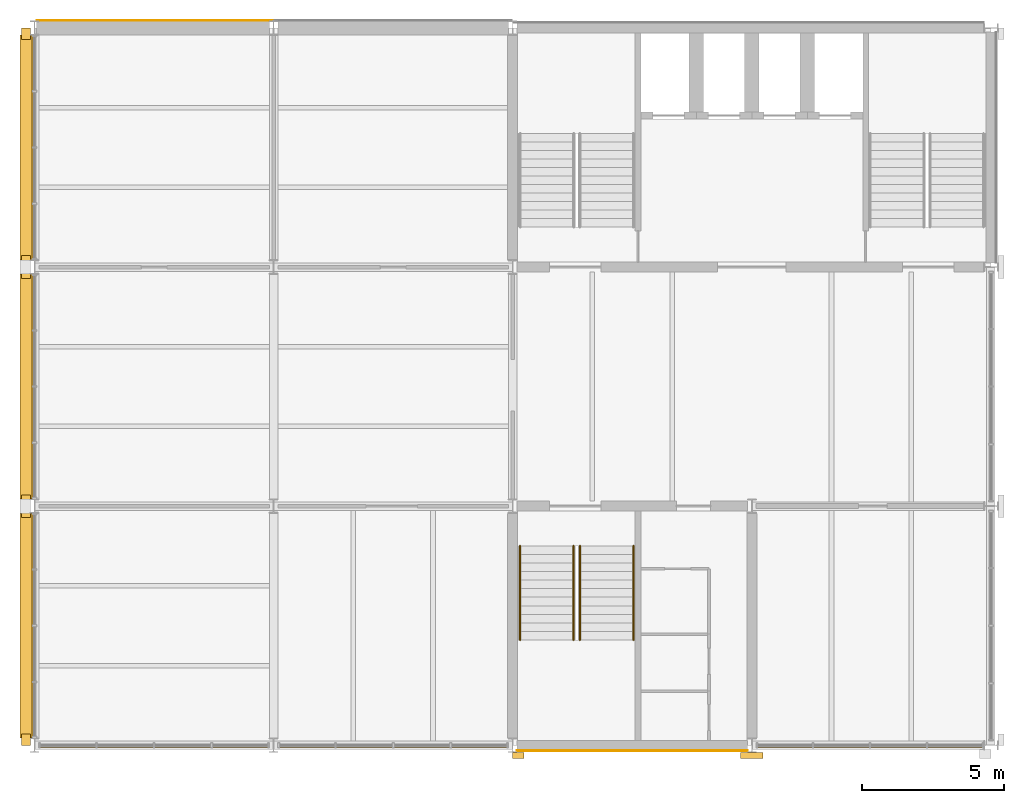
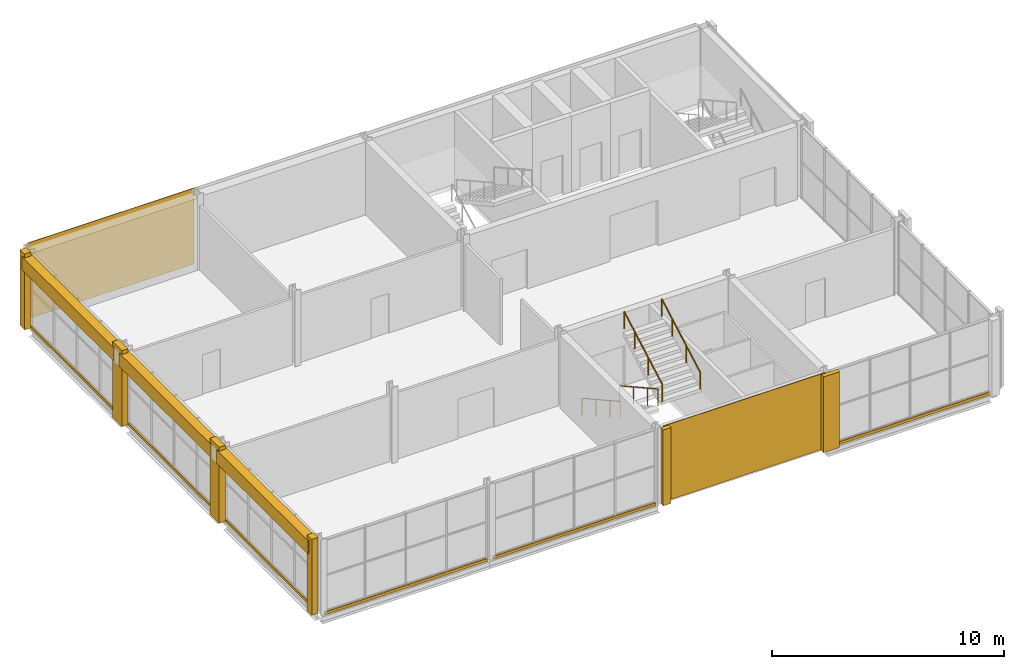
# One storey, part 10 of 12: 17 coverings, 4 railings.
"""IFC4 building model written with IfcOpenShell, lengths in metres."""

from ifc_helpers import new_model, si_unit, direction, frame, origin, origin_2d, place, context, subcontext, project, spatial, rectangle, circle, extrude, material, layer, layer_set, type_object, element, save


model = new_model("IFC4")

# Units and contexts
model_context = context("Model", 3, precision=1e-05, world=origin(), true_north=direction((0.0, 1.0)))
body_context = subcontext(model_context, "Body", "Model", "MODEL_VIEW")
ifc_project = project(units=[si_unit("LENGTHUNIT", "METRE"), si_unit("AREAUNIT", "SQUARE_METRE"), si_unit("VOLUMEUNIT", "CUBIC_METRE"), si_unit("PLANEANGLEUNIT", "RADIAN"), si_unit("MASSUNIT", "GRAM", prefix="KILO")], contexts=[model_context])

# Site, building, storey
site_placement = place(None, origin())
site = spatial("IfcSite", under=ifc_project, at=site_placement, CompositionType="ELEMENT")
building_placement = place(site_placement, origin())
building = spatial("IfcBuilding", under=site, at=building_placement, Name="Galleria Vessillo Department Store", CompositionType="ELEMENT")
storey_placement = place(building_placement, frame((0.0, 0.0, 43.60009765625)))
storey = spatial("IfcBuildingStorey", under=building, at=storey_placement, Name="L09", CompositionType="ELEMENT", Elevation=43.60009765625)

# Coverings
ifc_material_1 = material(Name="Lime plaster (intonaco) ochre")
ifc_layer_1 = layer(ifc_material_1, 0.030029296875)
ifc_layer_set_1 = layer_set([ifc_layer_1], Name="Lime plaster (intonaco) ochre")
covering_type_1 = type_object("IfcCoveringType", Name="Lime plaster render 30 mm", PredefinedType="CLADDING", material=ifc_layer_set_1)
covering_1_placement = place(storey_placement, frame((88.222412109375, 63.264892578125, 0.0), z_axis=(0.0, 0.0, 1.0), x_axis=(1.0, 0.0, 0.0)))
element("IfcCovering", 1, at=covering_1_placement, inside=storey, type_object=covering_type_1, Name="Wall cladding S-TN-L09-01", PredefinedType="CLADDING", context=body_context, shape_type="SweptSolid", body=[
    extrude(rectangle(XDim=8.295166015625, YDim=0.030029296875, at=origin_2d()), origin(), (0.0, 0.0, 1.0), 4.0),
])
ifc_material_2 = material(Name="Botticino limestone ashlar", Category="masonry")
ifc_layer_2 = layer(ifc_material_2, 0.449951171875)
ifc_layer_set_2 = layer_set([ifc_layer_2], Name="Botticino limestone ashlar")
covering_type_2 = type_object("IfcCoveringType", Name="Limestone cornice 450 x 700", PredefinedType="MOLDING", material=ifc_layer_set_2)
covering_2_placement = place(storey_placement, frame((83.715087890625, 42.0, 3.10009765625), z_axis=(0.0, 0.0, 1.0), x_axis=(1.0, 0.0, 0.0)))
element("IfcCovering", 2, at=covering_2_placement, inside=storey, type_object=covering_type_2, Name="Cornice TW-L09-01", PredefinedType="MOLDING", context=body_context, shape_type="SweptSolid", body=[
    extrude(rectangle(XDim=0.449951171875, YDim=7.89990234375, at=origin_2d()), origin(), (0.0, 0.0, 1.0), 0.699951171875),
])
covering_3_placement = place(storey_placement, frame((83.715087890625, 50.39990234375, 3.10009765625), z_axis=(0.0, 0.0, 1.0), x_axis=(1.0, 0.0, 0.0)))
element("IfcCovering", 3, at=covering_3_placement, inside=storey, type_object=covering_type_2, Name="Cornice TW-L09-02", PredefinedType="MOLDING", context=body_context, shape_type="SweptSolid", body=[
    extrude(rectangle(XDim=0.449951171875, YDim=7.900146484375, at=origin_2d()), origin(), (0.0, 0.0, 1.0), 0.699951171875),
])
covering_4_placement = place(storey_placement, frame((83.715087890625, 58.800048828125, 3.10009765625), z_axis=(0.0, 0.0, 1.0), x_axis=(1.0, 0.0, 0.0)))
element("IfcCovering", 4, at=covering_4_placement, inside=storey, type_object=covering_type_2, Name="Cornice TW-L09-03", PredefinedType="MOLDING", context=body_context, shape_type="SweptSolid", body=[
    extrude(rectangle(XDim=0.449951171875, YDim=7.89990234375, at=origin_2d()), origin(), (0.0, 0.0, 1.0), 0.699951171875),
])
ifc_material_3 = material(Name="Botticino limestone ashlar", Category="masonry")
ifc_layer_3 = layer(ifc_material_3, 0.14990234375)
ifc_layer_set_3 = layer_set([ifc_layer_3], Name="Botticino limestone ashlar")
covering_type_3 = type_object("IfcCoveringType", Name="Limestone slab-edge fascia 150 mm", PredefinedType="CLADDING", material=ifc_layer_set_3)
covering_5_placement = place(storey_placement, frame((83.9599609375, 42.0, -0.14990234375), z_axis=(0.0, 0.0, 1.0), x_axis=(1.0, 0.0, 0.0)))
element("IfcCovering", 5, at=covering_5_placement, inside=storey, type_object=covering_type_3, Name="Slab-edge fascia TW-L08-01", PredefinedType="CLADDING", context=body_context, shape_type="SweptSolid", body=[
    extrude(rectangle(XDim=0.080078125, YDim=7.89990234375, at=origin_2d()), origin(), (0.0, 0.0, 1.0), 0.14990234375),
])
covering_6_placement = place(storey_placement, frame((83.9599609375, 50.39990234375, -0.14990234375), z_axis=(0.0, 0.0, 1.0), x_axis=(1.0, 0.0, 0.0)))
element("IfcCovering", 6, at=covering_6_placement, inside=storey, type_object=covering_type_3, Name="Slab-edge fascia TW-L08-02", PredefinedType="CLADDING", context=body_context, shape_type="SweptSolid", body=[
    extrude(rectangle(XDim=0.080078125, YDim=7.900146484375, at=origin_2d()), origin(), (0.0, 0.0, 1.0), 0.14990234375),
])
covering_7_placement = place(storey_placement, frame((83.9599609375, 58.800048828125, -0.14990234375), z_axis=(0.0, 0.0, 1.0), x_axis=(1.0, 0.0, 0.0)))
element("IfcCovering", 7, at=covering_7_placement, inside=storey, type_object=covering_type_3, Name="Slab-edge fascia TW-L08-03", PredefinedType="CLADDING", context=body_context, shape_type="SweptSolid", body=[
    extrude(rectangle(XDim=0.080078125, YDim=7.89990234375, at=origin_2d()), origin(), (0.0, 0.0, 1.0), 0.14990234375),
])
covering_8_placement = place(storey_placement, frame((88.199951171875, 37.760009765625, -0.14990234375), z_axis=(0.0, 0.0, 1.0), x_axis=(1.0, 0.0, 0.0)))
element("IfcCovering", 8, at=covering_8_placement, inside=storey, type_object=covering_type_3, Name="Slab-edge fascia TS-L08-01", PredefinedType="CLADDING", context=body_context, shape_type="SweptSolid", body=[
    extrude(rectangle(XDim=8.099853515625, YDim=0.080078125, at=origin_2d()), origin(), (0.0, 0.0, 1.0), 0.14990234375),
])
covering_9_placement = place(storey_placement, frame((96.60009765625, 37.760009765625, -0.14990234375), z_axis=(0.0, 0.0, 1.0), x_axis=(1.0, 0.0, 0.0)))
element("IfcCovering", 9, at=covering_9_placement, inside=storey, type_object=covering_type_3, Name="Slab-edge fascia TS-L08-02", PredefinedType="CLADDING", context=body_context, shape_type="SweptSolid", body=[
    extrude(rectangle(XDim=8.10009765625, YDim=0.080078125, at=origin_2d()), origin(), (0.0, 0.0, 1.0), 0.14990234375),
])
covering_10_placement = place(storey_placement, frame((113.35009765625, 37.760009765625, -0.14990234375), z_axis=(0.0, 0.0, 1.0), x_axis=(1.0, 0.0, 0.0)))
element("IfcCovering", 10, at=covering_10_placement, inside=storey, type_object=covering_type_3, Name="Slab-edge fascia TS-L08-03", PredefinedType="CLADDING", context=body_context, shape_type="SweptSolid", body=[
    extrude(rectangle(XDim=8.000244140625, YDim=0.080078125, at=origin_2d()), origin(), (0.0, 0.0, 1.0), 0.14990234375),
])
ifc_material_4 = material(Name="Botticino limestone ashlar", Category="masonry")
ifc_layer_4 = layer(ifc_material_4, 0.31005859375)
ifc_layer_set_4 = layer_set([ifc_layer_4], Name="Botticino limestone ashlar")
covering_type_4 = type_object("IfcCoveringType", Name="Limestone tower pilaster strip", PredefinedType="CLADDING", material=ifc_layer_set_4)
covering_11_placement = place(storey_placement, frame((83.695068359375, 38.0, 0.0), z_axis=(0.0, 0.0, 1.0), x_axis=(1.0, 0.0, 0.0)))
element("IfcCovering", 11, at=covering_11_placement, inside=storey, type_object=covering_type_4, Name="Tower pilaster strip W L09 37.8", PredefinedType="CLADDING", context=body_context, shape_type="SweptSolid", body=[
    extrude(rectangle(XDim=0.31005859375, YDim=0.39990234375, at=origin_2d()), origin(), (0.0, 0.0, 1.0), 4.0),
])
for number, where, z_axis, x_axis, name in (
    (12, (83.695068359375, 46.199951171875, 0.0), (0.0, 0.0, 1.0), (1.0, 0.0, 0.0), "Tower pilaster strip W L09 46.2"),
    (13, (83.695068359375, 54.60009765625, 0.0), (0.0, 0.0, 1.0), (1.0, 0.0, 0.0), "Tower pilaster strip W L09 54.6"),
):
    element("IfcCovering", number, at=place(storey_placement, frame(where, z_axis=z_axis, x_axis=x_axis)), inside=storey, type_object=covering_type_4, Name=name, PredefinedType="CLADDING", context=body_context, shape_type="SweptSolid", body=[
        extrude(rectangle(XDim=0.31005859375, YDim=0.800048828125, at=origin_2d()), origin(), (0.0, 0.0, 1.0), 4.0),
    ])
covering_12_placement = place(storey_placement, frame((83.695068359375, 62.800048828125, 0.0), z_axis=(0.0, 0.0, 1.0), x_axis=(1.0, 0.0, 0.0)))
element("IfcCovering", 14, at=covering_12_placement, inside=storey, type_object=covering_type_4, Name="Tower pilaster strip W L09 63.0", PredefinedType="CLADDING", context=body_context, shape_type="SweptSolid", body=[
    extrude(rectangle(XDim=0.31005859375, YDim=0.39990234375, at=origin_2d()), origin(), (0.0, 0.0, 1.0), 4.0),
])
covering_13_placement = place(storey_placement, frame((101.0, 37.445068359375, 0.0), z_axis=(0.0, 0.0, 1.0), x_axis=(1.0, 0.0, 0.0)))
element("IfcCovering", 15, at=covering_13_placement, inside=storey, type_object=covering_type_4, Name="Tower pilaster strip S L09 100.8", PredefinedType="CLADDING", context=body_context, shape_type="SweptSolid", body=[
    extrude(rectangle(XDim=0.39990234375, YDim=0.2099609375, at=origin_2d()), origin(), (0.0, 0.0, 1.0), 4.0),
])
covering_14_placement = place(storey_placement, frame((109.199951171875, 37.445068359375, 0.0), z_axis=(0.0, 0.0, 1.0), x_axis=(1.0, 0.0, 0.0)))
element("IfcCovering", 16, at=covering_14_placement, inside=storey, type_object=covering_type_4, Name="Tower pilaster strip S L09 109.2", PredefinedType="CLADDING", context=body_context, shape_type="SweptSolid", body=[
    extrude(rectangle(XDim=0.800048828125, YDim=0.2099609375, at=origin_2d()), origin(), (0.0, 0.0, 1.0), 4.0),
])
ifc_material_5 = material(Name="Botticino limestone ashlar", Category="masonry")
ifc_layer_5 = layer(ifc_material_5, 0.030029296875)
ifc_layer_set_5 = layer_set([ifc_layer_5], Name="Botticino limestone ashlar")
covering_type_5 = type_object("IfcCoveringType", Name="Limestone wall cladding 30 mm", PredefinedType="CLADDING", material=ifc_layer_set_5)
covering_15_placement = place(storey_placement, frame((105.0, 37.610107421875, 0.0), z_axis=(0.0, 0.0, 1.0), x_axis=(1.0, 0.0, 0.0)))
element("IfcCovering", 17, at=covering_15_placement, inside=storey, type_object=covering_type_5, Name="Wall cladding S-CW-TS-PARTY-L09", PredefinedType="CLADDING", context=body_context, shape_type="SweptSolid", body=[
    extrude(rectangle(XDim=8.099853515625, YDim=0.030029296875, at=origin_2d()), origin(), (0.0, 0.0, 1.0), 4.0),
])

# Railings
ifc_material_6 = material(Name="Stainless steel tube", Category="steel")
railing_type = type_object("IfcRailingType", Name="Stair handrail steel tube 48 mm", PredefinedType="HANDRAIL", material=ifc_material_6)
for number, where, name in (
    (18, (102.93994140625, 44.800048828125, 0.166748046875), "Handrail ST12 L09 flight 1A"),
    (19, (101.06005859375, 44.800048828125, 0.166748046875), "Handrail ST12 L09 flight 1B"),
):
    element("IfcRailing", number, at=place(storey_placement, frame(where)), inside=storey, type_object=railing_type, Name=name, PredefinedType="HANDRAIL", context=body_context, shape_type="SweptSolid", body=[
        extrude(circle(Radius=0.02392578125, at=origin_2d()), frame((0.0, 0.0, 0.89599609375), z_axis=(0.0, -0.874199221805, 0.485567421267), x_axis=(1.0, 0.0, 0.0)), (0.0, 0.0, 1.0), 1.37255859375),
        extrude(circle(Radius=0.02392578125, at=origin_2d()), frame((0.0, -1.199951171875, 1.5625), z_axis=(0.0, -0.874123717778, 0.485703331282), x_axis=(1.0, 0.0, 0.0)), (0.0, 0.0, 1.0), 1.372802734375),
        extrude(circle(Radius=0.02392578125, at=origin_2d()), frame((0.0, -2.39990234375, 2.22900390625), z_axis=(0.0, -0.874190826042, 0.485582536407), x_axis=(1.0, 0.0, 0.0)), (0.0, 0.0, 1.0), 1.02978515625),
        extrude(circle(Radius=0.02099609375, at=origin_2d()), origin(), (0.0, 0.0, 1.0), 0.871826171875),
        extrude(circle(Radius=0.02099609375, at=origin_2d()), frame((0.0, -1.199951171875, 0.66650390625)), (0.0, 0.0, 1.0), 0.871826171875),
        extrude(circle(Radius=0.02099609375, at=origin_2d()), frame((0.0, -2.39990234375, 1.333251953125)), (0.0, 0.0, 1.0), 0.871826171875),
        extrude(circle(Radius=0.02099609375, at=origin_2d()), frame((0.0, -3.300048828125, 1.833251953125)), (0.0, 0.0, 1.0), 0.871826171875),
    ])
for number, where, name in (
    (20, (103.16015625, 41.5, 2.166748046875), "Handrail ST12 L09 flight 2A"),
    (21, (105.0400390625, 41.5, 2.166748046875), "Handrail ST12 L09 flight 2B"),
):
    element("IfcRailing", number, at=place(storey_placement, frame(where)), inside=storey, type_object=railing_type, Name=name, PredefinedType="HANDRAIL", context=body_context, shape_type="SweptSolid", body=[
        extrude(circle(Radius=0.02392578125, at=origin_2d()), frame((0.0, 0.0, 0.89599609375), z_axis=(0.0, 0.874199221805, 0.485567421267), x_axis=(-1.0, 0.0, 0.0)), (0.0, 0.0, 1.0), 1.37255859375),
        extrude(circle(Radius=0.02392578125, at=origin_2d()), frame((0.0, 1.199951171875, 1.5625), z_axis=(0.0, 0.874123717778, 0.485703331282), x_axis=(-1.0, 0.0, 0.0)), (0.0, 0.0, 1.0), 1.372802734375),
        extrude(circle(Radius=0.02392578125, at=origin_2d()), frame((0.0, 2.39990234375, 2.22900390625), z_axis=(0.0, 0.874190826042, 0.485582536407), x_axis=(-1.0, 0.0, 0.0)), (0.0, 0.0, 1.0), 1.02978515625),
        extrude(circle(Radius=0.02099609375, at=origin_2d()), origin(), (0.0, 0.0, 1.0), 0.871826171875),
        extrude(circle(Radius=0.02099609375, at=origin_2d()), frame((0.0, 1.199951171875, 0.66650390625)), (0.0, 0.0, 1.0), 0.871826171875),
        extrude(circle(Radius=0.02099609375, at=origin_2d()), frame((0.0, 2.39990234375, 1.333251953125)), (0.0, 0.0, 1.0), 0.871826171875),
        extrude(circle(Radius=0.02099609375, at=origin_2d()), frame((0.0, 3.300048828125, 1.833251953125)), (0.0, 0.0, 1.0), 0.871826171875),
    ])

save(model, "model.ifc")
